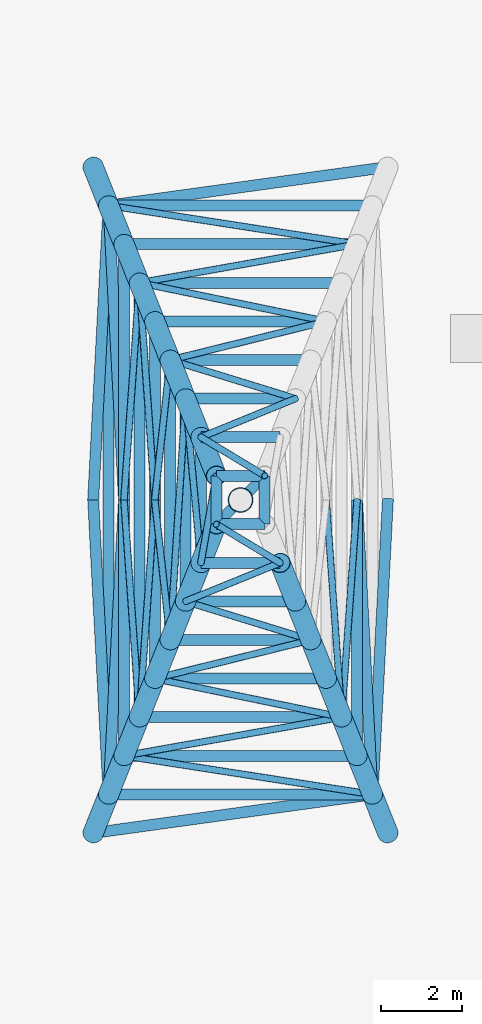
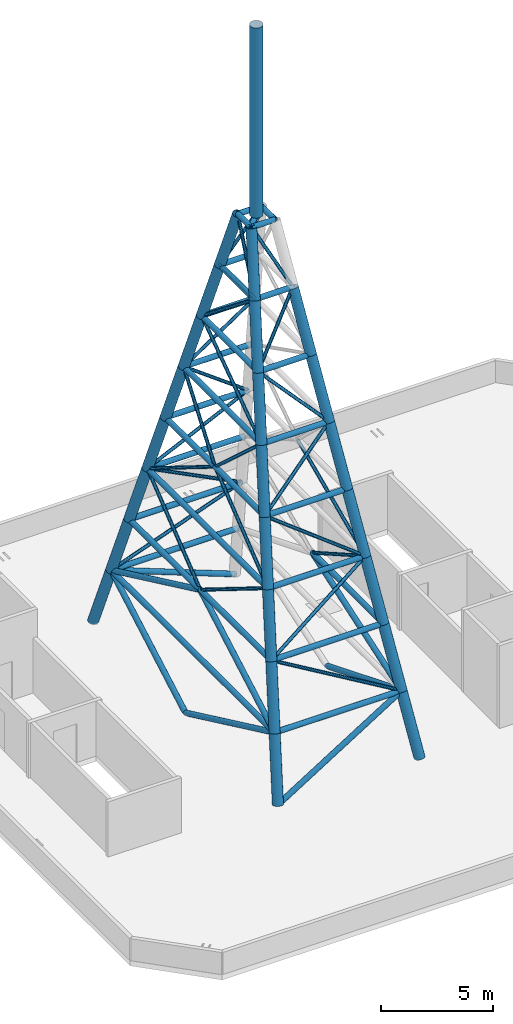
# One storey, part 1 of 3: 85 members, 1 beam.
"""IFC4 building model written with IfcOpenShell, lengths in metres."""

from ifc_helpers import new_model, si_unit, direction, frame, origin, origin_2d, place, context, subcontext, project, spatial, hollow_circle, i_section, extrude, material, material_profile, profile_set, type_object, element, save


model = new_model("IFC4")

# Units and contexts
model_context = context("Model", 3, precision=1e-05, world=origin(), true_north=direction((0.0, 1.0)))
body_context = subcontext(model_context, "Body", "Model", "MODEL_VIEW")
ifc_project = project(units=[si_unit("LENGTHUNIT", "METRE"), si_unit("AREAUNIT", "SQUARE_METRE"), si_unit("VOLUMEUNIT", "CUBIC_METRE"), si_unit("PLANEANGLEUNIT", "RADIAN"), si_unit("MASSUNIT", "GRAM", prefix="KILO")], contexts=[model_context])

# Site, building, storey
site_placement = place(None, origin())
site = spatial("IfcSite", under=ifc_project, at=site_placement, CompositionType="ELEMENT")
building_placement = place(site_placement, origin())
building = spatial("IfcBuilding", under=site, at=building_placement, Name="Jalousie Tower", CompositionType="ELEMENT")
storey_placement = place(building_placement, frame((0.0, 0.0, 277.75)))
storey = spatial("IfcBuildingStorey", under=building, at=storey_placement, Name="RF", CompositionType="ELEMENT", Elevation=277.75)

# Members
ifc_material_1 = material(Name="Steel ASTM A500 Grade C", Category="steel")
ifc_material_profile_1 = material_profile(ifc_material_1, hollow_circle(Radius=0.136474609375, WallThickness=0.0126953125, at=origin_2d()), Name="HSS10.750X0.500")
ifc_profile_set_1 = profile_set([ifc_material_profile_1], Name="Steel ASTM A500 Grade C")
member_type_1 = type_object("IfcMemberType", Name="SPIRE BRACE HSS10.750X0.500", PredefinedType="BRACE", material=ifc_profile_set_1)
member_1_placement = place(storey_placement, frame((28.60009765625, 10.25, -0.02587890625), z_axis=(0.899670317774, 0.124351904962, 0.418485272201), x_axis=(-0.136917722984, 0.99058242319, 0.0)))
element("IfcMember", 1, at=member_1_placement, inside=storey, type_object=member_type_1, Name="Spire brace 1 face 1", PredefinedType="BRACE", context=body_context, shape_type="SweptSolid", body=[
    extrude(hollow_circle(Radius=0.136474609375, WallThickness=0.0126953125, at=origin_2d()), origin(), (0.0, 0.0, 1.0), 7.690185546875),
])
member_2_placement = place(storey_placement, frame((35.89990234375, 18.5, -0.02587890625), z_axis=(-0.047749788105, -0.913853247694, 0.403227230497), x_axis=(0.99863770294, -0.052179864579, 0.0)))
element("IfcMember", 2, at=member_2_placement, inside=storey, type_object=member_type_1, Name="Spire brace 1 face 2", PredefinedType="BRACE", context=body_context, shape_type="SweptSolid", body=[
    extrude(hollow_circle(Radius=0.136474609375, WallThickness=0.0126953125, at=origin_2d()), origin(), (0.0, 0.0, 1.0), 7.981201171875),
])
member_3_placement = place(storey_placement, frame((35.89990234375, 26.75, -0.02587890625), z_axis=(-0.899670317774, -0.124351904962, 0.418485272201), x_axis=(0.136917722984, -0.99058242319, 0.0)))
element("IfcMember", 3, at=member_3_placement, inside=storey, type_object=member_type_1, Name="Spire brace 1 face 3", PredefinedType="BRACE", context=body_context, shape_type="SweptSolid", body=[
    extrude(hollow_circle(Radius=0.136474609375, WallThickness=0.0126953125, at=origin_2d()), origin(), (0.0, 0.0, 1.0), 7.690185546875),
])
for number, where, z_axis, x_axis, name in (
    (4, (28.60009765625, 18.5, -0.02587890625), (0.047749788105, 0.913853247694, 0.403227230497), (-0.99863770294, 0.052179864579, 0.0), "Spire brace 1 face 4"),
    (5, (28.60009765625, 18.5, -0.02587890625), (0.047749788105, -0.913853247694, 0.403227230497), (0.99863770294, 0.052179864579, 0.0), "Spire brace 1 face 4"),
    (6, (35.518798828125, 11.206298828125, 3.1923828125), (-0.047780896853, 0.913863184042, 0.403201025234), (-0.998635960535, -0.052213200681, 0.0), "Spire brace 2 face 2"),
    (7, (28.981201171875, 25.793701171875, 3.1923828125), (0.047780896853, -0.913863184042, 0.403201025234), (0.998635960535, 0.052213200681, 0.0), "Spire brace 2 face 4"),
    (8, (28.981201171875, 11.206298828125, 3.1923828125), (0.047780896853, 0.913863184042, 0.403201025234), (-0.998635960535, 0.052213200681, 0.0), "Spire brace 2 face 4"),
):
    element("IfcMember", number, at=place(storey_placement, frame(where, z_axis=z_axis, x_axis=x_axis)), inside=storey, type_object=member_type_1, Name=name, PredefinedType="BRACE", context=body_context, shape_type="SweptSolid", body=[
        extrude(hollow_circle(Radius=0.136474609375, WallThickness=0.0126953125, at=origin_2d()), origin(), (0.0, 0.0, 1.0), 7.981201171875),
    ])
ifc_material_2 = material(Name="Steel ASTM A500 Grade C", Category="steel")
ifc_material_profile_2 = material_profile(ifc_material_2, hollow_circle(Radius=0.084228515625, WallThickness=0.007080078125, at=origin_2d()), Name="HSS6.625X0.280")
ifc_profile_set_2 = profile_set([ifc_material_profile_2], Name="Steel ASTM A500 Grade C")
member_type_2 = type_object("IfcMemberType", Name="SPIRE BRACE HSS6.625X0.280", PredefinedType="BRACE", material=ifc_profile_set_2)
for number, where, z_axis, x_axis, name in (
    (9, (35.518798828125, 11.206298828125, 3.1923828125), (-0.877946582922, 0.136378361568, 0.458923457705), (-0.15349698941, -0.988149115388, 0.0), "Spire brace 2 face 1"),
    (10, (28.981201171875, 25.793701171875, 3.1923828125), (0.877946582922, -0.136378361568, 0.458923457705), (0.15349698941, 0.988149115388, 0.0), "Spire brace 2 face 3"),
):
    element("IfcMember", number, at=place(storey_placement, frame(where, z_axis=z_axis, x_axis=x_axis)), inside=storey, type_object=member_type_2, Name=name, PredefinedType="BRACE", context=body_context, shape_type="SweptSolid", body=[
        extrude(hollow_circle(Radius=0.084228515625, WallThickness=0.007080078125, at=origin_2d()), origin(), (0.0, 0.0, 1.0), 7.01220703125),
    ])
member_4_placement = place(storey_placement, frame((29.362548828125, 12.16259765625, 6.410400390625), z_axis=(0.848960527469, 0.150478858714, 0.506578854552), x_axis=(-0.174530236152, 0.984651814942, 0.0)))
element("IfcMember", 11, at=member_4_placement, inside=storey, type_object=member_type_2, Name="Spire brace 3 face 1", PredefinedType="BRACE", context=body_context, shape_type="SweptSolid", body=[
    extrude(hollow_circle(Radius=0.084228515625, WallThickness=0.007080078125, at=origin_2d()), origin(), (0.0, 0.0, 1.0), 6.353515625),
])
member_5_placement = place(storey_placement, frame((35.137451171875, 18.5, 6.410400390625), z_axis=(-0.060666415195, -0.85663620995, 0.512341672978), x_axis=(0.997501703705, -0.07064241718, 0.0)))
element("IfcMember", 12, at=member_5_placement, inside=storey, type_object=member_type_2, Name="Spire brace 3 face 2", PredefinedType="BRACE", context=body_context, shape_type="SweptSolid", body=[
    extrude(hollow_circle(Radius=0.084228515625, WallThickness=0.007080078125, at=origin_2d()), origin(), (0.0, 0.0, 1.0), 6.281982421875),
])
member_6_placement = place(storey_placement, frame((35.137451171875, 24.83740234375, 6.410400390625), z_axis=(-0.848960527469, -0.150478858714, 0.506578854552), x_axis=(0.174530236152, -0.984651814942, 0.0)))
element("IfcMember", 13, at=member_6_placement, inside=storey, type_object=member_type_2, Name="Spire brace 3 face 3", PredefinedType="BRACE", context=body_context, shape_type="SweptSolid", body=[
    extrude(hollow_circle(Radius=0.084228515625, WallThickness=0.007080078125, at=origin_2d()), origin(), (0.0, 0.0, 1.0), 6.353515625),
])
for number, where, z_axis, x_axis, name in (
    (14, (29.362548828125, 18.5, 6.410400390625), (0.060666415195, 0.85663620995, 0.512341672978), (-0.997501703705, 0.07064241718, 0.0), "Spire brace 3 face 4"),
    (15, (29.362548828125, 18.5, 6.410400390625), (0.060666415195, -0.85663620995, 0.512341672978), (0.997501703705, 0.07064241718, 0.0), "Spire brace 3 face 4"),
):
    element("IfcMember", number, at=place(storey_placement, frame(where, z_axis=z_axis, x_axis=x_axis)), inside=storey, type_object=member_type_2, Name=name, PredefinedType="BRACE", context=body_context, shape_type="SweptSolid", body=[
        extrude(hollow_circle(Radius=0.084228515625, WallThickness=0.007080078125, at=origin_2d()), origin(), (0.0, 0.0, 1.0), 6.281982421875),
    ])
member_7_placement = place(storey_placement, frame((34.75634765625, 13.11865234375, 9.62890625), z_axis=(-0.809662235359, 0.167182233838, 0.562580807816), x_axis=(-0.202218071266, -0.979340518744, 0.0)))
element("IfcMember", 16, at=member_7_placement, inside=storey, type_object=member_type_2, Name="Spire brace 4 face 1", PredefinedType="BRACE", context=body_context, shape_type="SweptSolid", body=[
    extrude(hollow_circle(Radius=0.084228515625, WallThickness=0.007080078125, at=origin_2d()), origin(), (0.0, 0.0, 1.0), 5.72021484375),
])
member_8_placement = place(storey_placement, frame((34.75634765625, 13.11865234375, 9.62890625), z_axis=(-0.060707553255, 0.856668302716, 0.512283136653), x_axis=(-0.997498513792, -0.070687445719, 0.0)))
element("IfcMember", 17, at=member_8_placement, inside=storey, type_object=member_type_2, Name="Spire brace 4 face 2", PredefinedType="BRACE", context=body_context, shape_type="SweptSolid", body=[
    extrude(hollow_circle(Radius=0.084228515625, WallThickness=0.007080078125, at=origin_2d()), origin(), (0.0, 0.0, 1.0), 6.28173828125),
])
member_9_placement = place(storey_placement, frame((29.74365234375, 23.88134765625, 9.62890625), z_axis=(0.809662235359, -0.167182233838, 0.562580807816), x_axis=(0.202218071266, 0.979340518744, 0.0)))
element("IfcMember", 18, at=member_9_placement, inside=storey, type_object=member_type_2, Name="Spire brace 4 face 3", PredefinedType="BRACE", context=body_context, shape_type="SweptSolid", body=[
    extrude(hollow_circle(Radius=0.084228515625, WallThickness=0.007080078125, at=origin_2d()), origin(), (0.0, 0.0, 1.0), 5.72021484375),
])
for number, where, z_axis, x_axis, name in (
    (19, (29.74365234375, 23.88134765625, 9.62890625), (0.060707553255, -0.856668302716, 0.512283136653), (0.997498513792, 0.070687445719, 0.0), "Spire brace 4 face 4"),
    (20, (29.74365234375, 13.11865234375, 9.62890625), (0.060707553255, 0.856668302716, 0.512283136653), (-0.997498513792, 0.070687445719, 0.0), "Spire brace 4 face 4"),
):
    element("IfcMember", number, at=place(storey_placement, frame(where, z_axis=z_axis, x_axis=x_axis)), inside=storey, type_object=member_type_2, Name=name, PredefinedType="BRACE", context=body_context, shape_type="SweptSolid", body=[
        extrude(hollow_circle(Radius=0.084228515625, WallThickness=0.007080078125, at=origin_2d()), origin(), (0.0, 0.0, 1.0), 6.28173828125),
    ])
for number, where, z_axis, x_axis, name in (
    (21, (30.125, 14.074951171875, 12.846923828125), (0.755253580766, 0.186692431898, 0.628281755753), (-0.239968919471, 0.970780571338, 0.0), "Spire brace 5 face 1"),
    (22, (34.375, 22.925048828125, 12.846923828125), (-0.755253580766, -0.186692431898, 0.628281755753), (0.239968919471, -0.970780571338, 0.0), "Spire brace 5 face 3"),
):
    element("IfcMember", number, at=place(storey_placement, frame(where, z_axis=z_axis, x_axis=x_axis)), inside=storey, type_object=member_type_2, Name=name, PredefinedType="BRACE", context=body_context, shape_type="SweptSolid", body=[
        extrude(hollow_circle(Radius=0.084228515625, WallThickness=0.007080078125, at=origin_2d()), origin(), (0.0, 0.0, 1.0), 5.122314453125),
    ])
for number, where, z_axis, x_axis, name in (
    (23, (30.125, 18.5, 12.846923828125), (0.080332935839, 0.730710853006, 0.677944148672), (-0.994011045369, 0.109279648991, 0.0), "Spire brace 5 face 4"),
    (24, (30.125, 18.5, 12.846923828125), (0.080332935839, -0.730710853006, 0.677944148672), (0.994011045369, 0.109279648991, 0.0), "Spire brace 5 face 4"),
):
    element("IfcMember", number, at=place(storey_placement, frame(where, z_axis=z_axis, x_axis=x_axis)), inside=storey, type_object=member_type_2, Name=name, PredefinedType="BRACE", context=body_context, shape_type="SweptSolid", body=[
        extrude(hollow_circle(Radius=0.084228515625, WallThickness=0.007080078125, at=origin_2d()), origin(), (0.0, 0.0, 1.0), 4.7470703125),
    ])
for number, where, z_axis, x_axis, name in (
    (25, (33.99365234375, 15.03125, 16.065185546875), (-0.679120196014, 0.209079132892, 0.703620405868), (-0.294238924262, -0.955731895172, 0.0), "Spire brace 6 face 1"),
    (26, (30.50634765625, 21.96875, 16.065185546875), (0.679120196014, -0.209079132892, 0.703620405868), (0.294238924262, 0.955731895172, 0.0), "Spire brace 6 face 3"),
):
    element("IfcMember", number, at=place(storey_placement, frame(where, z_axis=z_axis, x_axis=x_axis)), inside=storey, type_object=member_type_2, Name=name, PredefinedType="BRACE", context=body_context, shape_type="SweptSolid", body=[
        extrude(hollow_circle(Radius=0.084228515625, WallThickness=0.007080078125, at=origin_2d()), origin(), (0.0, 0.0, 1.0), 4.573974609375),
    ])
member_10_placement = place(storey_placement, frame((30.50634765625, 15.03125, 16.065185546875), z_axis=(0.056022094751, 0.879234656832, 0.473083442033), x_axis=(-0.997976239224, 0.063587938668, 0.0)))
element("IfcMember", 27, at=member_10_placement, inside=storey, type_object=member_type_2, Name="Spire brace 6 face 4", PredefinedType="BRACE", context=body_context, shape_type="SweptSolid", body=[
    extrude(hollow_circle(Radius=0.084228515625, WallThickness=0.007080078125, at=origin_2d()), origin(), (0.0, 0.0, 1.0), 6.802734375),
])
for number, where, z_axis, x_axis, name in (
    (28, (30.887451171875, 15.987548828125, 19.283447265625), (0.572423042749, 0.233500899521, 0.786008390574), (-0.377701263796, 0.925927510838, 0.0), "Spire brace 7 face 1"),
    (29, (33.612548828125, 21.012451171875, 19.283447265625), (-0.572423042749, -0.233500899521, 0.786008390574), (0.377701263796, -0.925927510838, 0.0), "Spire brace 7 face 3"),
):
    element("IfcMember", number, at=place(storey_placement, frame(where, z_axis=z_axis, x_axis=x_axis)), inside=storey, type_object=member_type_2, Name=name, PredefinedType="BRACE", context=body_context, shape_type="SweptSolid", body=[
        extrude(hollow_circle(Radius=0.084228515625, WallThickness=0.007080078125, at=origin_2d()), origin(), (0.0, 0.0, 1.0), 4.094482421875),
    ])
member_11_placement = place(storey_placement, frame((30.887451171875, 21.012451171875, 19.283447265625), z_axis=(0.07331147969, -0.782208143731, 0.618688812592), x_axis=(0.995636654672, 0.093314799868, 0.0)))
element("IfcMember", 30, at=member_11_placement, inside=storey, type_object=member_type_2, Name="Spire brace 7 face 4", PredefinedType="BRACE", context=body_context, shape_type="SweptSolid", body=[
    extrude(hollow_circle(Radius=0.084228515625, WallThickness=0.007080078125, at=origin_2d()), origin(), (0.0, 0.0, 1.0), 5.20166015625),
])
for number, where, z_axis, x_axis, name in (
    (31, (33.231201171875, 16.943603515625, 22.501708984375), (-0.42610040106, 0.257686470736, 0.867200167791), (-0.517484582658, -0.855692530476, 0.0), "Spire brace 8 face 1"),
    (32, (31.268798828125, 20.056396484375, 22.501708984375), (0.42610040106, -0.257686470736, 0.867200167791), (0.517484582658, 0.855692530476, 0.0), "Spire brace 8 face 3"),
):
    element("IfcMember", number, at=place(storey_placement, frame(where, z_axis=z_axis, x_axis=x_axis)), inside=storey, type_object=member_type_2, Name=name, PredefinedType="BRACE", context=body_context, shape_type="SweptSolid", body=[
        extrude(hollow_circle(Radius=0.084228515625, WallThickness=0.007080078125, at=origin_2d()), origin(), (0.0, 0.0, 1.0), 3.711181640625),
    ])
member_12_placement = place(storey_placement, frame((31.268798828125, 16.943603515625, 22.501708984375), z_axis=(0.097902742224, 0.553987778388, 0.826748204994), x_axis=(-0.984740880805, 0.17402700271, 0.0)))
element("IfcMember", 33, at=member_12_placement, inside=storey, type_object=member_type_2, Name="Spire brace 8 face 4", PredefinedType="BRACE", context=body_context, shape_type="SweptSolid", body=[
    extrude(hollow_circle(Radius=0.084228515625, WallThickness=0.007080078125, at=origin_2d()), origin(), (0.0, 0.0, 1.0), 3.892578125),
])

# Beam
ifc_material_3 = material(Name="Steel ASTM A992 Grade 50", Category="steel")
ifc_material_profile_3 = material_profile(ifc_material_3, i_section(OverallWidth=0.25390625, OverallDepth=0.25390625, WebThickness=0.008544921875, FlangeThickness=0.01416015625, at=origin_2d()), Name="W10X49")
ifc_profile_set_3 = profile_set([ifc_material_profile_3], Name="Steel ASTM A992 Grade 50")
beam_type = type_object("IfcBeamType", Name="SPIRE CROSS BEAM W10X49", PredefinedType="BEAM", material=ifc_profile_set_3)
beam_placement = place(storey_placement, frame((31.64990234375, 17.89990234375, 25.719970703125), z_axis=(0.707106781187, 0.707106781187, 0.0), x_axis=(-0.707106781187, 0.707106781187, 0.0)))
element("IfcBeam", 34, at=beam_placement, inside=storey, type_object=beam_type, Name="Spire cap cross beam 1", PredefinedType="BEAM", context=body_context, shape_type="SweptSolid", body=[
    extrude(i_section(OverallWidth=0.25390625, OverallDepth=0.25390625, WebThickness=0.008544921875, FlangeThickness=0.01416015625, at=origin_2d()), origin(), (0.0, 0.0, 1.0), 1.697265625),
])

# Members
ifc_material_4 = material(Name="Steel ASTM A500 Grade C", Category="steel")
ifc_material_profile_4 = material_profile(ifc_material_4, hollow_circle(Radius=0.25390625, WallThickness=0.0126953125, at=origin_2d()), Name="HSS20X0.500")
ifc_profile_set_4 = profile_set([ifc_material_profile_4], Name="Steel ASTM A500 Grade C")
member_type_3 = type_object("IfcMemberType", Name="SPIRE LEG HSS20X0.500", PredefinedType="MEMBER", material=ifc_profile_set_4)
for number, where, z_axis, x_axis, name in (
    (35, (28.60009765625, 10.25, -0.02587890625), (0.112789272308, 0.283020871, 0.95245880049), (-0.928950250882, 0.370204580451, 0.0), "Spire leg 1 panel 1"),
    (36, (35.89990234375, 10.25, -0.02587890625), (-0.112789272308, 0.283020871, 0.95245880049), (-0.928950250882, -0.370204580451, 0.0), "Spire leg 2 panel 1"),
    (37, (28.60009765625, 26.75, -0.02587890625), (0.112789272308, -0.283020871, 0.95245880049), (0.928950250882, 0.370204580451, 0.0), "Spire leg 4 panel 1"),
):
    element("IfcMember", number, at=place(storey_placement, frame(where, z_axis=z_axis, x_axis=x_axis)), inside=storey, type_object=member_type_3, Name=name, PredefinedType="MEMBER", context=body_context, shape_type="SweptSolid", body=[
        extrude(hollow_circle(Radius=0.25390625, WallThickness=0.0126953125, at=origin_2d()), origin(), (0.0, 0.0, 1.0), 3.37890625),
    ])
for number, where, z_axis, x_axis, name in (
    (38, (28.981201171875, 11.206298828125, 3.1923828125), (0.112868374138, 0.283038041933, 0.952444327474), (-0.928868676272, 0.370409209174, 0.0), "Spire leg 1 panel 2"),
    (39, (35.518798828125, 11.206298828125, 3.1923828125), (-0.112868374138, 0.283038041933, 0.952444327474), (-0.928868676272, -0.370409209174, 0.0), "Spire leg 2 panel 2"),
    (40, (28.981201171875, 25.793701171875, 3.1923828125), (0.112868374138, -0.283038041933, 0.952444327474), (0.928868676272, 0.370409209174, 0.0), "Spire leg 4 panel 2"),
):
    element("IfcMember", number, at=place(storey_placement, frame(where, z_axis=z_axis, x_axis=x_axis)), inside=storey, type_object=member_type_3, Name=name, PredefinedType="MEMBER", context=body_context, shape_type="SweptSolid", body=[
        extrude(hollow_circle(Radius=0.25390625, WallThickness=0.0126953125, at=origin_2d()), origin(), (0.0, 0.0, 1.0), 3.378662109375),
    ])
for number, where, z_axis, x_axis, name in (
    (41, (29.362548828125, 12.16259765625, 6.410400390625), (0.112783816509, 0.28293492982, 0.952484979525), (-0.928917737212, 0.370286156228, 0.0), "Spire leg 1 panel 3"),
    (42, (35.137451171875, 12.16259765625, 6.410400390625), (-0.112783816509, 0.28293492982, 0.952484979525), (-0.928917737212, -0.370286156228, 0.0), "Spire leg 2 panel 3"),
    (43, (29.362548828125, 24.83740234375, 6.410400390625), (0.112783816509, -0.28293492982, 0.952484979525), (0.928917737212, 0.370286156228, 0.0), "Spire leg 4 panel 3"),
):
    element("IfcMember", number, at=place(storey_placement, frame(where, z_axis=z_axis, x_axis=x_axis)), inside=storey, type_object=member_type_3, Name=name, PredefinedType="MEMBER", context=body_context, shape_type="SweptSolid", body=[
        extrude(hollow_circle(Radius=0.25390625, WallThickness=0.0126953125, at=origin_2d()), origin(), (0.0, 0.0, 1.0), 3.379150390625),
    ])
for number, where, z_axis, x_axis, name in (
    (44, (29.74365234375, 13.11865234375, 9.62890625), (0.112868374138, 0.283038041933, 0.952444327474), (-0.928868676272, 0.370409209174, 0.0), "Spire leg 1 panel 4"),
    (45, (34.75634765625, 13.11865234375, 9.62890625), (-0.112868374138, 0.283038041933, 0.952444327474), (-0.928868676272, -0.370409209174, 0.0), "Spire leg 2 panel 4"),
    (46, (29.74365234375, 23.88134765625, 9.62890625), (0.112868374138, -0.283038041933, 0.952444327474), (0.928868676272, 0.370409209174, 0.0), "Spire leg 4 panel 4"),
):
    element("IfcMember", number, at=place(storey_placement, frame(where, z_axis=z_axis, x_axis=x_axis)), inside=storey, type_object=member_type_3, Name=name, PredefinedType="MEMBER", context=body_context, shape_type="SweptSolid", body=[
        extrude(hollow_circle(Radius=0.25390625, WallThickness=0.0126953125, at=origin_2d()), origin(), (0.0, 0.0, 1.0), 3.378662109375),
    ])
for number, where, z_axis, x_axis, name in (
    (47, (30.125, 14.074951171875, 12.846923828125), (0.112860606755, 0.283018563801, 0.952451036005), (-0.928868676272, 0.370409209174, 0.0), "Spire leg 1 panel 5"),
    (48, (34.375, 14.074951171875, 12.846923828125), (-0.112860606755, 0.283018563801, 0.952451036005), (-0.928868676272, -0.370409209174, 0.0), "Spire leg 2 panel 5"),
    (49, (30.125, 22.925048828125, 12.846923828125), (0.112860606755, -0.283018563801, 0.952451036005), (0.928868676272, 0.370409209174, 0.0), "Spire leg 4 panel 5"),
    (50, (30.50634765625, 15.03125, 16.065185546875), (0.112789272308, 0.283020871, 0.95245880049), (-0.928950250882, 0.370204580451, 0.0), "Spire leg 1 panel 6"),
    (51, (33.99365234375, 15.03125, 16.065185546875), (-0.112789272308, 0.283020871, 0.95245880049), (-0.928950250882, -0.370204580451, 0.0), "Spire leg 2 panel 6"),
    (52, (30.50634765625, 21.96875, 16.065185546875), (0.112789272308, -0.283020871, 0.95245880049), (0.928950250882, 0.370204580451, 0.0), "Spire leg 4 panel 6"),
    (53, (30.887451171875, 15.987548828125, 19.283447265625), (0.11286291444, 0.282952095356, 0.952470510976), (-0.928836129508, 0.370490815703, 0.0), "Spire leg 1 panel 7"),
    (54, (33.612548828125, 15.987548828125, 19.283447265625), (-0.11286291444, 0.282952095356, 0.952470510976), (-0.928836129508, -0.370490815703, 0.0), "Spire leg 2 panel 7"),
    (55, (30.887451171875, 21.012451171875, 19.283447265625), (0.11286291444, -0.282952095356, 0.952470510976), (0.928836129508, 0.370490815703, 0.0), "Spire leg 4 panel 7"),
    (56, (31.268798828125, 16.943603515625, 22.501708984375), (0.112789272308, 0.283020871, 0.95245880049), (-0.928950250882, 0.370204580451, 0.0), "Spire leg 1 panel 8"),
    (57, (31.268798828125, 20.056396484375, 22.501708984375), (0.112789272308, -0.283020871, 0.95245880049), (0.928950250882, 0.370204580451, 0.0), "Spire leg 4 panel 8"),
):
    element("IfcMember", number, at=place(storey_placement, frame(where, z_axis=z_axis, x_axis=x_axis)), inside=storey, type_object=member_type_3, Name=name, PredefinedType="MEMBER", context=body_context, shape_type="SweptSolid", body=[
        extrude(hollow_circle(Radius=0.25390625, WallThickness=0.0126953125, at=origin_2d()), origin(), (0.0, 0.0, 1.0), 3.37890625),
    ])
ifc_material_5 = material(Name="Steel ASTM A500 Grade C", Category="steel")
ifc_material_profile_5 = material_profile(ifc_material_5, hollow_circle(Radius=0.3046875, WallThickness=0.0126953125, at=origin_2d()), Name="HSS24X0.500")
ifc_profile_set_5 = profile_set([ifc_material_profile_5], Name="Steel ASTM A500 Grade C")
member_type_4 = type_object("IfcMemberType", Name="SPIRE MAST HSS24X0.500", PredefinedType="MEMBER", material=ifc_profile_set_5)
member_13_placement = place(storey_placement, frame((32.25, 18.5, 25.846923828125), z_axis=(0.0, 0.0, 1.0), x_axis=(1.0, 0.0, 0.0)))
element("IfcMember", 58, at=member_13_placement, inside=storey, type_object=member_type_4, Name="Spire mast", PredefinedType="MEMBER", context=body_context, shape_type="SweptSolid", body=[
    extrude(hollow_circle(Radius=0.3046875, WallThickness=0.0126953125, at=origin_2d()), origin(), (0.0, 0.0, 1.0), 10.35302734375),
])
ifc_material_6 = material(Name="Steel ASTM A500 Grade C", Category="steel")
ifc_material_profile_6 = material_profile(ifc_material_6, hollow_circle(Radius=0.136474609375, WallThickness=0.0126953125, at=origin_2d()), Name="HSS10.750X0.500")
ifc_profile_set_6 = profile_set([ifc_material_profile_6], Name="Steel ASTM A500 Grade C")
member_type_5 = type_object("IfcMemberType", Name="SPIRE RING HSS10.750X0.500", PredefinedType="STRUT", material=ifc_profile_set_6)
for number, where, z_axis, x_axis, name in (
    (59, (28.981201171875, 11.206298828125, 3.1923828125), (1.0, 0.0, 0.0), (0.0, 1.0, 0.0), "Spire ring 1 side 1"),
    (60, (35.518798828125, 25.793701171875, 3.1923828125), (-1.0, 0.0, 0.0), (0.0, -1.0, 0.0), "Spire ring 1 side 3"),
):
    element("IfcMember", number, at=place(storey_placement, frame(where, z_axis=z_axis, x_axis=x_axis)), inside=storey, type_object=member_type_5, Name=name, PredefinedType="STRUT", context=body_context, shape_type="SweptSolid", body=[
        extrude(hollow_circle(Radius=0.136474609375, WallThickness=0.0126953125, at=origin_2d()), origin(), (0.0, 0.0, 1.0), 6.53759765625),
    ])
member_14_placement = place(storey_placement, frame((28.981201171875, 25.793701171875, 3.1923828125), z_axis=(0.0, -1.0, 0.0), x_axis=(1.0, 0.0, 0.0)))
element("IfcMember", 61, at=member_14_placement, inside=storey, type_object=member_type_5, Name="Spire ring 1 side 4", PredefinedType="STRUT", context=body_context, shape_type="SweptSolid", body=[
    extrude(hollow_circle(Radius=0.136474609375, WallThickness=0.0126953125, at=origin_2d()), origin(), (0.0, 0.0, 1.0), 14.58740234375),
])
member_15_placement = place(storey_placement, frame((29.362548828125, 12.16259765625, 6.410400390625), z_axis=(1.0, 0.0, 0.0), x_axis=(0.0, 1.0, 0.0)))
element("IfcMember", 62, at=member_15_placement, inside=storey, type_object=member_type_5, Name="Spire ring 2 side 1", PredefinedType="STRUT", context=body_context, shape_type="SweptSolid", body=[
    extrude(hollow_circle(Radius=0.136474609375, WallThickness=0.0126953125, at=origin_2d()), origin(), (0.0, 0.0, 1.0), 5.77490234375),
])
member_16_placement = place(storey_placement, frame((35.137451171875, 12.16259765625, 6.410400390625), z_axis=(0.0, 1.0, 0.0), x_axis=(-1.0, 0.0, 0.0)))
element("IfcMember", 63, at=member_16_placement, inside=storey, type_object=member_type_5, Name="Spire ring 2 side 2", PredefinedType="STRUT", context=body_context, shape_type="SweptSolid", body=[
    extrude(hollow_circle(Radius=0.136474609375, WallThickness=0.0126953125, at=origin_2d()), origin(), (0.0, 0.0, 1.0), 6.33740234375),
])
member_17_placement = place(storey_placement, frame((35.137451171875, 24.83740234375, 6.410400390625), z_axis=(-1.0, 0.0, 0.0), x_axis=(0.0, -1.0, 0.0)))
element("IfcMember", 64, at=member_17_placement, inside=storey, type_object=member_type_5, Name="Spire ring 2 side 3", PredefinedType="STRUT", context=body_context, shape_type="SweptSolid", body=[
    extrude(hollow_circle(Radius=0.136474609375, WallThickness=0.0126953125, at=origin_2d()), origin(), (0.0, 0.0, 1.0), 5.77490234375),
])
for number, where, z_axis, x_axis, name in (
    (65, (29.362548828125, 24.83740234375, 6.410400390625), (0.0, -1.0, 0.0), (1.0, 0.0, 0.0), "Spire ring 2 side 4"),
    (66, (29.362548828125, 18.5, 6.410400390625), (0.0, -1.0, 0.0), (1.0, 0.0, 0.0), "Spire ring 2 side 4"),
):
    element("IfcMember", number, at=place(storey_placement, frame(where, z_axis=z_axis, x_axis=x_axis)), inside=storey, type_object=member_type_5, Name=name, PredefinedType="STRUT", context=body_context, shape_type="SweptSolid", body=[
        extrude(hollow_circle(Radius=0.136474609375, WallThickness=0.0126953125, at=origin_2d()), origin(), (0.0, 0.0, 1.0), 6.33740234375),
    ])
for number, where, z_axis, x_axis, name in (
    (67, (29.74365234375, 13.11865234375, 9.62890625), (1.0, 0.0, 0.0), (0.0, 1.0, 0.0), "Spire ring 3 side 1"),
    (68, (34.75634765625, 23.88134765625, 9.62890625), (-1.0, 0.0, 0.0), (0.0, -1.0, 0.0), "Spire ring 3 side 3"),
):
    element("IfcMember", number, at=place(storey_placement, frame(where, z_axis=z_axis, x_axis=x_axis)), inside=storey, type_object=member_type_5, Name=name, PredefinedType="STRUT", context=body_context, shape_type="SweptSolid", body=[
        extrude(hollow_circle(Radius=0.136474609375, WallThickness=0.0126953125, at=origin_2d()), origin(), (0.0, 0.0, 1.0), 5.0126953125),
    ])
member_18_placement = place(storey_placement, frame((29.74365234375, 23.88134765625, 9.62890625), z_axis=(0.0, -1.0, 0.0), x_axis=(1.0, 0.0, 0.0)))
element("IfcMember", 69, at=member_18_placement, inside=storey, type_object=member_type_5, Name="Spire ring 3 side 4", PredefinedType="STRUT", context=body_context, shape_type="SweptSolid", body=[
    extrude(hollow_circle(Radius=0.136474609375, WallThickness=0.0126953125, at=origin_2d()), origin(), (0.0, 0.0, 1.0), 10.7626953125),
])
for number, where, z_axis, x_axis, name in (
    (70, (30.125, 14.074951171875, 12.846923828125), (1.0, 0.0, 0.0), (0.0, 1.0, 0.0), "Spire ring 4 side 1"),
    (71, (34.375, 22.925048828125, 12.846923828125), (-1.0, 0.0, 0.0), (0.0, -1.0, 0.0), "Spire ring 4 side 3"),
):
    element("IfcMember", number, at=place(storey_placement, frame(where, z_axis=z_axis, x_axis=x_axis)), inside=storey, type_object=member_type_5, Name=name, PredefinedType="STRUT", context=body_context, shape_type="SweptSolid", body=[
        extrude(hollow_circle(Radius=0.136474609375, WallThickness=0.0126953125, at=origin_2d()), origin(), (0.0, 0.0, 1.0), 4.25),
    ])
for number, where, z_axis, x_axis, name in (
    (72, (30.125, 22.925048828125, 12.846923828125), (0.0, -1.0, 0.0), (1.0, 0.0, 0.0), "Spire ring 4 side 4"),
    (73, (30.125, 18.5, 12.846923828125), (0.0, -1.0, 0.0), (1.0, 0.0, 0.0), "Spire ring 4 side 4"),
):
    element("IfcMember", number, at=place(storey_placement, frame(where, z_axis=z_axis, x_axis=x_axis)), inside=storey, type_object=member_type_5, Name=name, PredefinedType="STRUT", context=body_context, shape_type="SweptSolid", body=[
        extrude(hollow_circle(Radius=0.136474609375, WallThickness=0.0126953125, at=origin_2d()), origin(), (0.0, 0.0, 1.0), 4.425048828125),
    ])
for number, where, z_axis, x_axis, name in (
    (74, (30.50634765625, 15.03125, 16.065185546875), (1.0, 0.0, 0.0), (0.0, 1.0, 0.0), "Spire ring 5 side 1"),
    (75, (33.99365234375, 21.96875, 16.065185546875), (-1.0, 0.0, 0.0), (0.0, -1.0, 0.0), "Spire ring 5 side 3"),
):
    element("IfcMember", number, at=place(storey_placement, frame(where, z_axis=z_axis, x_axis=x_axis)), inside=storey, type_object=member_type_5, Name=name, PredefinedType="STRUT", context=body_context, shape_type="SweptSolid", body=[
        extrude(hollow_circle(Radius=0.136474609375, WallThickness=0.0126953125, at=origin_2d()), origin(), (0.0, 0.0, 1.0), 3.4873046875),
    ])
member_19_placement = place(storey_placement, frame((30.50634765625, 21.96875, 16.065185546875), z_axis=(0.0, -1.0, 0.0), x_axis=(1.0, 0.0, 0.0)))
element("IfcMember", 76, at=member_19_placement, inside=storey, type_object=member_type_5, Name="Spire ring 5 side 4", PredefinedType="STRUT", context=body_context, shape_type="SweptSolid", body=[
    extrude(hollow_circle(Radius=0.136474609375, WallThickness=0.0126953125, at=origin_2d()), origin(), (0.0, 0.0, 1.0), 6.9375),
])
for number, where, z_axis, x_axis, name in (
    (77, (30.887451171875, 15.987548828125, 19.283447265625), (1.0, 0.0, 0.0), (0.0, 1.0, 0.0), "Spire ring 6 side 1"),
    (78, (33.612548828125, 21.012451171875, 19.283447265625), (-1.0, 0.0, 0.0), (0.0, -1.0, 0.0), "Spire ring 6 side 3"),
):
    element("IfcMember", number, at=place(storey_placement, frame(where, z_axis=z_axis, x_axis=x_axis)), inside=storey, type_object=member_type_5, Name=name, PredefinedType="STRUT", context=body_context, shape_type="SweptSolid", body=[
        extrude(hollow_circle(Radius=0.136474609375, WallThickness=0.0126953125, at=origin_2d()), origin(), (0.0, 0.0, 1.0), 2.72509765625),
    ])
member_20_placement = place(storey_placement, frame((30.887451171875, 21.012451171875, 19.283447265625), z_axis=(0.0, -1.0, 0.0), x_axis=(1.0, 0.0, 0.0)))
element("IfcMember", 79, at=member_20_placement, inside=storey, type_object=member_type_5, Name="Spire ring 6 side 4", PredefinedType="STRUT", context=body_context, shape_type="SweptSolid", body=[
    extrude(hollow_circle(Radius=0.136474609375, WallThickness=0.0126953125, at=origin_2d()), origin(), (0.0, 0.0, 1.0), 5.02490234375),
])
for number, where, z_axis, x_axis, name in (
    (80, (31.268798828125, 16.943603515625, 22.501708984375), (1.0, 0.0, 0.0), (0.0, 1.0, 0.0), "Spire ring 7 side 1"),
    (81, (33.231201171875, 20.056396484375, 22.501708984375), (-1.0, 0.0, 0.0), (0.0, -1.0, 0.0), "Spire ring 7 side 3"),
):
    element("IfcMember", number, at=place(storey_placement, frame(where, z_axis=z_axis, x_axis=x_axis)), inside=storey, type_object=member_type_5, Name=name, PredefinedType="STRUT", context=body_context, shape_type="SweptSolid", body=[
        extrude(hollow_circle(Radius=0.136474609375, WallThickness=0.0126953125, at=origin_2d()), origin(), (0.0, 0.0, 1.0), 1.96240234375),
    ])
member_21_placement = place(storey_placement, frame((31.268798828125, 20.056396484375, 22.501708984375), z_axis=(0.0, -1.0, 0.0), x_axis=(1.0, 0.0, 0.0)))
element("IfcMember", 82, at=member_21_placement, inside=storey, type_object=member_type_5, Name="Spire ring 7 side 4", PredefinedType="STRUT", context=body_context, shape_type="SweptSolid", body=[
    extrude(hollow_circle(Radius=0.136474609375, WallThickness=0.0126953125, at=origin_2d()), origin(), (0.0, 0.0, 1.0), 3.11279296875),
])
for number, where, z_axis, x_axis, name in (
    (83, (31.64990234375, 17.89990234375, 25.719970703125), (1.0, 0.0, 0.0), (0.0, 1.0, 0.0), "Spire ring 8 side 1"),
    (84, (32.85009765625, 17.89990234375, 25.719970703125), (0.0, 1.0, 0.0), (-1.0, 0.0, 0.0), "Spire ring 8 side 2"),
    (85, (32.85009765625, 19.10009765625, 25.719970703125), (-1.0, 0.0, 0.0), (0.0, -1.0, 0.0), "Spire ring 8 side 3"),
    (86, (31.64990234375, 19.10009765625, 25.719970703125), (0.0, -1.0, 0.0), (1.0, 0.0, 0.0), "Spire ring 8 side 4"),
):
    element("IfcMember", number, at=place(storey_placement, frame(where, z_axis=z_axis, x_axis=x_axis)), inside=storey, type_object=member_type_5, Name=name, PredefinedType="STRUT", context=body_context, shape_type="SweptSolid", body=[
        extrude(hollow_circle(Radius=0.136474609375, WallThickness=0.0126953125, at=origin_2d()), origin(), (0.0, 0.0, 1.0), 1.2001953125),
    ])

save(model, "model.ifc")
